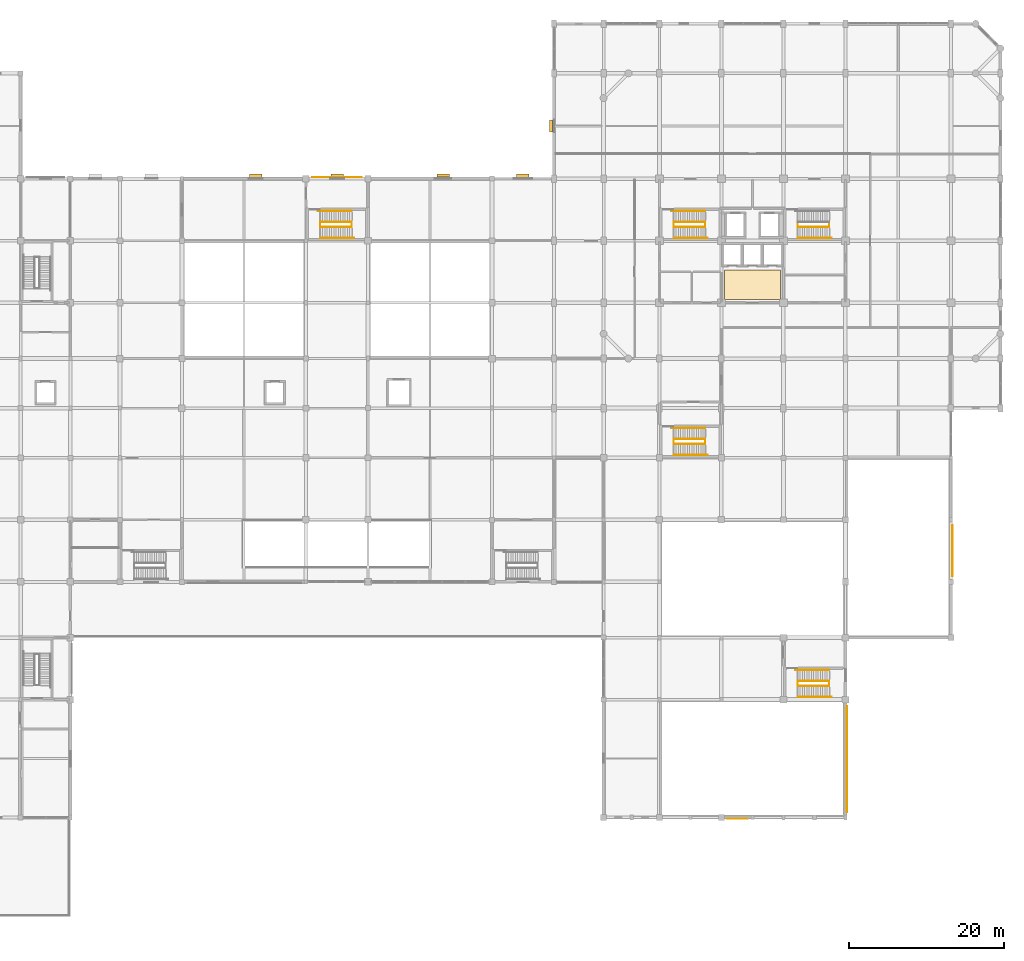
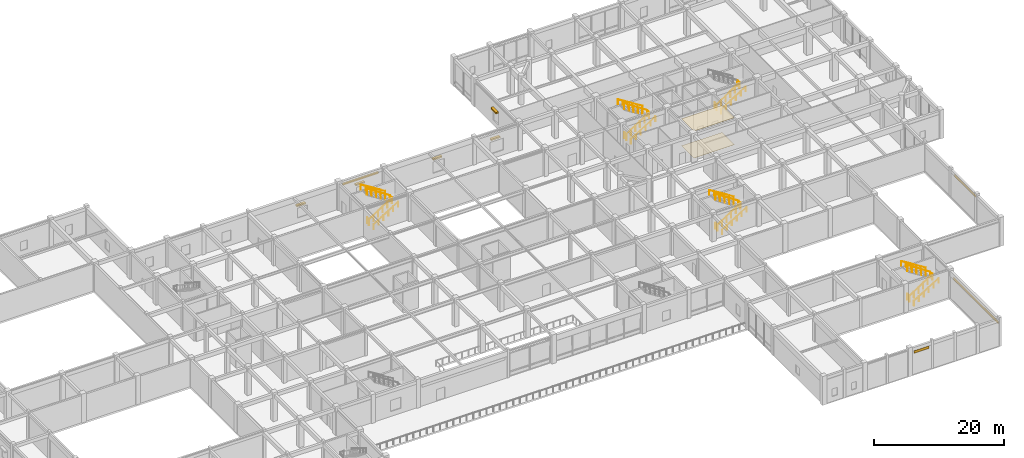
# One storey, part 35 of 36: 18 railings, 6 coverings, 5 shading devices.
"""IFC4 building model written with IfcOpenShell, lengths in metres."""

import ifcopenshell
import ifcopenshell.guid

model = None  # the IFC model being written
_history = None  # IfcOwnerHistory: only IFC2X3 demands one
_inside = {}  # id of a spatial element -> (the spatial element, [elements in it])
_under = {}  # id of a project, library or spatial element -> (it, [spatial elements below it])
_declared = {}  # id of a project -> (the project, [libraries it declares])
_typed = {}  # id of a type object -> (the type object, [elements of that type])
_made_of = {}  # id of a material, layer set ... -> (it, [elements and type objects made of it])


def new_model(schema):
    """Start an empty IFC model of exactly this schema.

    Asked for "IFC4X3", IfcOpenShell would pick the latest addendum, in which some entities
    have other attributes; the version numbers below select the first issue.
    IFC2X3 requires an IfcOwnerHistory on every rooted entity: one is made here for all.
    """
    global model, _history
    if schema == "IFC4X3":
        model = ifcopenshell.file(schema_version=(4, 3, 0, 0))
    else:
        model = ifcopenshell.file(schema=schema)
    _inside.clear()
    _under.clear()
    _declared.clear()
    _typed.clear()
    _made_of.clear()
    _history = None
    if model.schema == "IFC2X3":
        org = make("IfcOrganization", Name="unknown")
        user = make(
            "IfcPersonAndOrganization",
            ThePerson=make("IfcPerson", FamilyName="unknown"),
            TheOrganization=org,
        )
        app = make(
            "IfcApplication",
            ApplicationDeveloper=org,
            Version="unknown",
            ApplicationFullName="unknown",
            ApplicationIdentifier="unknown",
        )
        _history = make(
            "IfcOwnerHistory",
            OwningUser=user,
            OwningApplication=app,
            ChangeAction="ADDED",
            CreationDate=0,
        )
    return model


def make(cls, **values):
    """One entity of the class cls with the attributes given. An attribute that is None is left unset."""
    return model.create_entity(
        cls, **{name: value for name, value in values.items() if value is not None}
    )


def rooted(cls, **values):
    """An entity with a GlobalId (a new one), such as an element, a storey or a relation."""
    return make(cls, GlobalId=ifcopenshell.guid.new(), OwnerHistory=_history, **values)


def si_unit(unit_type, name, prefix=None):
    """IfcSIUnit, for example si_unit("LENGTHUNIT", "METRE", prefix="MILLI")."""
    return make("IfcSIUnit", UnitType=unit_type, Prefix=prefix, Name=name)


def assignment(units):
    """IfcUnitAssignment: the units of a project."""
    return None if units is None else make("IfcUnitAssignment", Units=units)


def point(xyz):
    """IfcCartesianPoint."""
    return None if xyz is None else make("IfcCartesianPoint", Coordinates=xyz)


def direction(xyz):
    """IfcDirection."""
    return None if xyz is None else make("IfcDirection", DirectionRatios=xyz)


def frame(location, z_axis=None, x_axis=None):
    """IfcAxis2Placement3D, a coordinate frame: its origin and axes. An axis left out is left unset."""
    return make(
        "IfcAxis2Placement3D",
        Location=point(location),
        Axis=direction(z_axis),
        RefDirection=direction(x_axis),
    )


def frame_2d(location, x_axis=None):
    """IfcAxis2Placement2D, a coordinate frame in the plane: its origin and x axis."""
    return make(
        "IfcAxis2Placement2D", Location=point(location), RefDirection=direction(x_axis)
    )


def origin():
    """The frame at (0, 0, 0) with its axes left unset."""
    return frame((0.0, 0.0, 0.0))


def origin_2d():
    """The frame at (0, 0) in the plane with its x axis left unset."""
    return frame_2d((0.0, 0.0))


def place(relative_to, where):
    """IfcLocalPlacement: puts the frame where relative to a parent placement (None: the world)."""
    return make(
        "IfcLocalPlacement", PlacementRelTo=relative_to, RelativePlacement=where
    )


def context(
    kind, dimensions, precision=None, world=None, true_north=None, identifier=None
):
    """IfcGeometricRepresentationContext, for example the 3D "Model" context."""
    return make(
        "IfcGeometricRepresentationContext",
        ContextIdentifier=identifier,
        ContextType=kind,
        CoordinateSpaceDimension=dimensions,
        Precision=precision,
        WorldCoordinateSystem=world,
        TrueNorth=true_north,
    )


def subcontext(parent, identifier, kind, view, scale=None):
    """IfcGeometricRepresentationSubContext, for example "Body" below "Model"."""
    return make(
        "IfcGeometricRepresentationSubContext",
        ContextIdentifier=identifier,
        ContextType=kind,
        ParentContext=parent,
        TargetScale=scale,
        TargetView=view,
    )


def project(units=None, contexts=None):
    """IfcProject with its units and contexts."""
    return rooted(
        "IfcProject",
        Name="project",
        RepresentationContexts=contexts,
        UnitsInContext=assignment(units),
    )


def spatial(cls, under=None, at=None, **own):
    """A site, building, storey or space (cls), placed at a placement, below another one or the project."""
    s = rooted(cls, ObjectPlacement=at, **own)
    if under is not None:
        _under.setdefault(under.id(), (under, []))[1].append(s)
    return s


def polyline(points):
    """IfcPolyline through the points."""
    return make("IfcPolyline", Points=[point(p) for p in points])


def profile(cls, at=None, kind="AREA", **sizes):
    """A parametric profile (cls). Its sizes go by their IFC names, for example OverallWidth=200.0."""
    return make(cls, ProfileType=kind, Position=at, **sizes)


def rectangle(**sizes):
    """IfcRectangleProfileDef."""
    return profile("IfcRectangleProfileDef", **sizes)


def circle(**sizes):
    """IfcCircleProfileDef."""
    return profile("IfcCircleProfileDef", **sizes)


def outline(outer, holes=None, kind="AREA"):
    """IfcArbitraryClosedProfileDef: a profile drawn as a closed curve; with holes, ...WithVoids."""
    if holes is None:
        return make("IfcArbitraryClosedProfileDef", ProfileType=kind, OuterCurve=outer)
    return make(
        "IfcArbitraryProfileDefWithVoids",
        ProfileType=kind,
        OuterCurve=outer,
        InnerCurves=holes,
    )


def extrude(swept, where, along, depth):
    """IfcExtrudedAreaSolid: the profile swept, set in the frame where, extruded along a direction by depth."""
    return make(
        "IfcExtrudedAreaSolid",
        SweptArea=swept,
        Position=where,
        ExtrudedDirection=direction(along),
        Depth=depth,
    )


def shape(context_of_items, identifier, shape_type, items):
    """IfcShapeRepresentation: the items that make up one representation, for example the "Body"."""
    return make(
        "IfcShapeRepresentation",
        ContextOfItems=context_of_items,
        RepresentationIdentifier=identifier,
        RepresentationType=shape_type,
        Items=items,
    )


def material(Name=None, Category=None):
    """IfcMaterial."""
    return make("IfcMaterial", Name=Name, Category=Category)


def layer(
    of_material, thickness, ventilated=None, Name=None, Category=None, Priority=None
):
    """IfcMaterialLayer: one layer of a wall or slab, of a material (None: an air gap)."""
    return make(
        "IfcMaterialLayer",
        Material=of_material,
        LayerThickness=thickness,
        IsVentilated=ventilated,
        Name=Name,
        Category=Category,
        Priority=Priority,
    )


def layer_set(layers, Name=None):
    """IfcMaterialLayerSet."""
    return make("IfcMaterialLayerSet", MaterialLayers=layers, LayerSetName=Name)


def made_of(thing, what):
    """Note that an element or type object is made of a material, layer set ...; save() writes the relation."""
    if what is not None:
        _made_of.setdefault(what.id(), (what, []))[1].append(thing)
    return thing


def type_object(cls, material=None, **own):
    """A type object (cls), such as IfcWallType, which elements share."""
    return made_of(rooted(cls, **own), material)


def element(
    cls,
    number,
    at=None,
    inside=None,
    cuts=None,
    type_object=None,
    material=None,
    context=None,
    identifier="Body",
    shape_type=None,
    held_by="IfcProductDefinitionShape",
    body=None,
    shapes=None,
    **own,
):
    """One element of the class cls, such as IfcWall. Its Tag is "e" and its number.

    at: its placement. inside: the storey or other place that contains it. cuts: it is an
    opening in that element (IfcRelVoidsElement). A single representation is given by context,
    identifier, shape_type and body (its items); several are given by shapes. held_by: the class
    of the entity that holds the representations. save() writes the other relations.
    """
    e = rooted(cls, Tag="e%d" % number, ObjectPlacement=at, **own)
    if body is not None:
        shapes = [shape(context, identifier, shape_type, body)]
    if shapes is not None:
        e.Representation = make(held_by, Representations=shapes)
    if inside is not None:
        _inside.setdefault(inside.id(), (inside, []))[1].append(e)
    if cuts is not None:
        rooted(
            "IfcRelVoidsElement", RelatingBuildingElement=cuts, RelatedOpeningElement=e
        )
    if type_object is not None:
        _typed.setdefault(type_object.id(), (type_object, []))[1].append(e)
    return made_of(e, material)


def aggregate(whole, parts):
    """IfcRelAggregates: a whole, such as a stair, and the parts it consists of."""
    return rooted("IfcRelAggregates", RelatingObject=whole, RelatedObjects=parts)


def save(model, path):
    """Write the relations noted so far, then the file.

    IfcRelAggregates (storeys below a building ...), IfcRelContainedInSpatialStructure (elements
    in a storey), IfcRelDefinesByType, IfcRelAssociatesMaterial and IfcRelDeclares: one each for
    every whole, place, type object, material and project.
    """
    for whole, parts in _under.values():
        aggregate(whole, parts)
    for where, things in _inside.values():
        rooted(
            "IfcRelContainedInSpatialStructure",
            RelatedElements=things,
            RelatingStructure=where,
        )
    for kind, things in _typed.values():
        rooted("IfcRelDefinesByType", RelatedObjects=things, RelatingType=kind)
    for what, things in _made_of.values():
        rooted("IfcRelAssociatesMaterial", RelatedObjects=things, RelatingMaterial=what)
    for by, libraries in _declared.values():
        rooted("IfcRelDeclares", RelatingContext=by, RelatedDefinitions=libraries)
    model.write(path)


model = new_model("IFC4")

# Units and contexts
model_context = context("Model", 3, precision=1e-05, world=origin(), true_north=direction((0.0, 1.0)))
body_context = subcontext(model_context, "Body", "Model", "MODEL_VIEW")
ifc_project = project(units=[si_unit("LENGTHUNIT", "METRE"), si_unit("AREAUNIT", "SQUARE_METRE"), si_unit("VOLUMEUNIT", "CUBIC_METRE"), si_unit("PLANEANGLEUNIT", "RADIAN"), si_unit("MASSUNIT", "GRAM", prefix="KILO")], contexts=[model_context])

# Site, building, storey
site_placement = place(None, origin())
site = spatial("IfcSite", under=ifc_project, at=site_placement, CompositionType="ELEMENT")
building_placement = place(site_placement, origin())
building = spatial("IfcBuilding", under=site, at=building_placement, Name="Vellmiral Cinema and Media Centre", CompositionType="ELEMENT")
storey_placement = place(building_placement, frame((0.0, 0.0, 5.39990234375)))
storey = spatial("IfcBuildingStorey", under=building, at=storey_placement, Name="L01", CompositionType="ELEMENT", Elevation=5.39990234375)

# Coverings
ifc_material_1 = material(Name="Micro-Perforated Acoustic Gypsum Ceiling")
ifc_layer_1 = layer(ifc_material_1, 0.0400390625, Name="Micro-Perforated Acoustic Gypsum Ceiling")
ifc_layer_set_1 = layer_set([ifc_layer_1], Name="Micro-Perforated Acoustic Gypsum Ceiling")
covering_type_1 = type_object("IfcCoveringType", Name="COV-AC-CEILING", PredefinedType="CEILING", material=ifc_layer_set_1)
covering_1_placement = place(storey_placement, frame((0.0, 0.0, 5.06005859375)))
element("IfcCovering", 1, at=covering_1_placement, inside=storey, type_object=covering_type_1, Name="Acoustic Lobby Ceiling L01", PredefinedType="CEILING", context=body_context, shape_type="SweptSolid", body=[
    extrude(outline(polyline([(132.39990234375, 79.60009765625), (139.60009765625, 79.60009765625), (139.60009765625, 83.39990234375), (132.39990234375, 83.39990234375), (132.39990234375, 79.60009765625)])), origin(), (0.0, 0.0, 1.0), 0.0400390625),
])
ifc_material_2 = material(Name="Honed Terrazzo Acoustic Floor Finish")
ifc_layer_2 = layer(ifc_material_2, 0.030029296875, Name="Honed Terrazzo Acoustic Floor Finish")
ifc_layer_set_2 = layer_set([ifc_layer_2], Name="Honed Terrazzo Acoustic Floor Finish")
covering_type_2 = type_object("IfcCoveringType", Name="COV-TERR-FLOORING", PredefinedType="FLOORING", material=ifc_layer_set_2)
covering_2_placement = place(storey_placement, origin())
element("IfcCovering", 2, at=covering_2_placement, inside=storey, type_object=covering_type_2, Name="Terrazzo Lobby Flooring L01", PredefinedType="FLOORING", context=body_context, shape_type="SweptSolid", body=[
    extrude(outline(polyline([(132.39990234375, 79.60009765625), (139.60009765625, 79.60009765625), (139.60009765625, 83.39990234375), (132.39990234375, 83.39990234375), (132.39990234375, 79.60009765625)])), origin(), (0.0, 0.0, 1.0), 0.030029296875),
])
ifc_material_3 = material(Name="Polychrome Trencadis Ceramic Mosaic")
ifc_layer_3 = layer(ifc_material_3, 0.034912109375, Name="Polychrome Trencadis Ceramic Mosaic")
ifc_layer_set_3 = layer_set([ifc_layer_3], Name="Polychrome Trencadis Ceramic Mosaic")
covering_type_3 = type_object("IfcCoveringType", Name="COV-TRENCADIS-CLAD", PredefinedType="CLADDING", material=ifc_layer_set_3)
covering_3_placement = place(storey_placement, frame((0.0, 0.0, 3.9150390625)))
element("IfcCovering", 3, at=covering_3_placement, inside=storey, type_object=covering_type_3, Name="Trencadis Spandrel Mosaic L01-024", PredefinedType="CLADDING", context=body_context, shape_type="SweptSolid", body=[
    extrude(outline(polyline([(132.77490234375, 12.6220703125), (135.425048828125, 12.6220703125), (135.425048828125, 12.656982421875), (132.77490234375, 12.656982421875), (132.77490234375, 12.6220703125)])), origin(), (0.0, 0.0, 1.0), 0.47998046875),
])
covering_4_placement = place(storey_placement, frame((0.0, 0.0, 3.51513671875)))
element("IfcCovering", 4, at=covering_4_placement, inside=storey, type_object=covering_type_3, Name="Trencadis Spandrel Mosaic L01-028", PredefinedType="CLADDING", context=body_context, shape_type="SweptSolid", body=[
    extrude(outline(polyline([(148.2080078125, 13.5), (148.2080078125, 27.175048828125), (148.173095703125, 27.175048828125), (148.173095703125, 13.5), (148.2080078125, 13.5)])), origin(), (0.0, 0.0, 1.0), 0.47998046875),
])
covering_5_placement = place(storey_placement, frame((0.0, 0.0, 3.955078125)))
element("IfcCovering", 5, at=covering_5_placement, inside=storey, type_object=covering_type_3, Name="Trencadis Spandrel Mosaic L01-032", PredefinedType="CLADDING", context=body_context, shape_type="SweptSolid", body=[
    extrude(outline(polyline([(161.80810546875, 43.925048828125), (161.80810546875, 50.5), (161.77294921875, 50.5), (161.77294921875, 43.925048828125), (161.80810546875, 43.925048828125)])), origin(), (0.0, 0.0, 1.0), 0.47998046875),
])
covering_6_placement = place(storey_placement, frame((0.0, 0.0, 3.93505859375)))
element("IfcCovering", 6, at=covering_6_placement, inside=storey, type_object=covering_type_3, Name="Trencadis Spandrel Mosaic L01-056", PredefinedType="CLADDING", context=body_context, shape_type="SweptSolid", body=[
    extrude(outline(polyline([(85.60009765625, 95.407958984375), (79.22509765625, 95.407958984375), (79.22509765625, 95.373046875), (85.60009765625, 95.373046875), (85.60009765625, 95.407958984375)])), origin(), (0.0, 0.0, 1.0), 0.47998046875),
])

# Railings
ifc_material_4 = material(Name="Brushed Stainless Steel Handrail", Category="steel")
railing_type_1 = type_object("IfcRailingType", Name="RL-HANDRAIL-900", PredefinedType="HANDRAIL", material=ifc_material_4)
railing_1_placement = place(storey_placement, frame((80.25, 87.56005859375, 0.18017578125)))
element("IfcRailing", 7, at=railing_1_placement, inside=storey, type_object=railing_type_1, Name="Stair Wall Handrail ST-P5 L01-1", PredefinedType="HANDRAIL", context=body_context, shape_type="SweptSolid", body=[
    extrude(circle(Radius=0.02392578125, at=origin_2d()), frame((0.0, 0.0, 0.8759765625), z_axis=(0.849649743971, 0.0, 0.527347430608), x_axis=(0.0, 1.0, 0.0)), (0.0, 0.0, 1.0), 5.119873046875),
    extrude(circle(Radius=0.02099609375, at=origin_2d()), origin(), (0.0, 0.0, 1.0), 0.851806640625),
    extrude(circle(Radius=0.02099609375, at=origin_2d()), frame((0.8701171875, 0.0, 0.5400390625)), (0.0, 0.0, 1.0), 0.851806640625),
    extrude(circle(Radius=0.02099609375, at=origin_2d()), frame((1.739990234375, 0.0, 1.080078125)), (0.0, 0.0, 1.0), 0.851806640625),
    extrude(circle(Radius=0.02099609375, at=origin_2d()), frame((2.610107421875, 0.0, 1.619873046875)), (0.0, 0.0, 1.0), 0.851806640625),
    extrude(circle(Radius=0.02099609375, at=origin_2d()), frame((3.47998046875, 0.0, 2.159912109375)), (0.0, 0.0, 1.0), 0.851806640625),
    extrude(circle(Radius=0.02099609375, at=origin_2d()), frame((4.35009765625, 0.0, 2.699951171875)), (0.0, 0.0, 1.0), 0.851806640625),
])
railing_2_placement = place(storey_placement, frame((84.31005859375, 91.0400390625, 2.880126953125)))
element("IfcRailing", 8, at=railing_2_placement, inside=storey, type_object=railing_type_1, Name="Stair Wall Handrail ST-P5 L01-2", PredefinedType="HANDRAIL", context=body_context, shape_type="SweptSolid", body=[
    extrude(circle(Radius=0.02392578125, at=origin_2d()), frame((0.0, 0.0, 0.8759765625), z_axis=(-0.849649743971, 0.0, 0.527347430608), x_axis=(0.0, -1.0, 0.0)), (0.0, 0.0, 1.0), 5.119873046875),
    extrude(circle(Radius=0.02099609375, at=origin_2d()), origin(), (0.0, 0.0, 1.0), 0.851806640625),
    extrude(circle(Radius=0.02099609375, at=origin_2d()), frame((-0.8701171875, 0.0, 0.5400390625)), (0.0, 0.0, 1.0), 0.851806640625),
    extrude(circle(Radius=0.02099609375, at=origin_2d()), frame((-1.739990234375, 0.0, 1.080078125)), (0.0, 0.0, 1.0), 0.851806640625),
    extrude(circle(Radius=0.02099609375, at=origin_2d()), frame((-2.610107421875, 0.0, 1.619873046875)), (0.0, 0.0, 1.0), 0.851806640625),
    extrude(circle(Radius=0.02099609375, at=origin_2d()), frame((-3.47998046875, 0.0, 2.159912109375)), (0.0, 0.0, 1.0), 0.851806640625),
    extrude(circle(Radius=0.02099609375, at=origin_2d()), frame((-4.35009765625, 0.0, 2.699951171875)), (0.0, 0.0, 1.0), 0.851806640625),
])
railing_3_placement = place(storey_placement, frame((125.85009765625, 59.56005859375, 0.18017578125)))
element("IfcRailing", 9, at=railing_3_placement, inside=storey, type_object=railing_type_1, Name="Stair Wall Handrail ST-P6 L01-1", PredefinedType="HANDRAIL", context=body_context, shape_type="SweptSolid", body=[
    extrude(circle(Radius=0.02392578125, at=origin_2d()), frame((0.0, 0.0, 0.8759765625), z_axis=(0.849636482215, 0.0, 0.527368797038), x_axis=(0.0, 1.0, 0.0)), (0.0, 0.0, 1.0), 5.11962890625),
    extrude(circle(Radius=0.02099609375, at=origin_2d()), origin(), (0.0, 0.0, 1.0), 0.851806640625),
    extrude(circle(Radius=0.02099609375, at=origin_2d()), frame((0.869873046875, 0.0, 0.5400390625)), (0.0, 0.0, 1.0), 0.851806640625),
    extrude(circle(Radius=0.02099609375, at=origin_2d()), frame((1.739990234375, 0.0, 1.080078125)), (0.0, 0.0, 1.0), 0.851806640625),
    extrude(circle(Radius=0.02099609375, at=origin_2d()), frame((2.60986328125, 0.0, 1.619873046875)), (0.0, 0.0, 1.0), 0.851806640625),
    extrude(circle(Radius=0.02099609375, at=origin_2d()), frame((3.47998046875, 0.0, 2.159912109375)), (0.0, 0.0, 1.0), 0.851806640625),
    extrude(circle(Radius=0.02099609375, at=origin_2d()), frame((4.349853515625, 0.0, 2.699951171875)), (0.0, 0.0, 1.0), 0.851806640625),
])
railing_4_placement = place(storey_placement, frame((129.909912109375, 63.0400390625, 2.880126953125)))
element("IfcRailing", 10, at=railing_4_placement, inside=storey, type_object=railing_type_1, Name="Stair Wall Handrail ST-P6 L01-2", PredefinedType="HANDRAIL", context=body_context, shape_type="SweptSolid", body=[
    extrude(circle(Radius=0.02392578125, at=origin_2d()), frame((0.0, 0.0, 0.8759765625), z_axis=(-0.849636482215, 0.0, 0.527368797038), x_axis=(0.0, -1.0, 0.0)), (0.0, 0.0, 1.0), 5.11962890625),
    extrude(circle(Radius=0.02099609375, at=origin_2d()), origin(), (0.0, 0.0, 1.0), 0.851806640625),
    extrude(circle(Radius=0.02099609375, at=origin_2d()), frame((-0.869873046875, 0.0, 0.5400390625)), (0.0, 0.0, 1.0), 0.851806640625),
    extrude(circle(Radius=0.02099609375, at=origin_2d()), frame((-1.739990234375, 0.0, 1.080078125)), (0.0, 0.0, 1.0), 0.851806640625),
    extrude(circle(Radius=0.02099609375, at=origin_2d()), frame((-2.60986328125, 0.0, 1.619873046875)), (0.0, 0.0, 1.0), 0.851806640625),
    extrude(circle(Radius=0.02099609375, at=origin_2d()), frame((-3.47998046875, 0.0, 2.159912109375)), (0.0, 0.0, 1.0), 0.851806640625),
    extrude(circle(Radius=0.02099609375, at=origin_2d()), frame((-4.349853515625, 0.0, 2.699951171875)), (0.0, 0.0, 1.0), 0.851806640625),
])
railing_5_placement = place(storey_placement, frame((141.85009765625, 28.360107421875, 0.18017578125)))
element("IfcRailing", 11, at=railing_5_placement, inside=storey, type_object=railing_type_1, Name="Stair Wall Handrail ST-P8 L01-1", PredefinedType="HANDRAIL", context=body_context, shape_type="SweptSolid", body=[
    extrude(circle(Radius=0.02392578125, at=origin_2d()), frame((0.0, 0.0, 0.8759765625), z_axis=(0.849636482215, 0.0, 0.527368797038), x_axis=(0.0, 1.0, 0.0)), (0.0, 0.0, 1.0), 5.11962890625),
    extrude(circle(Radius=0.02099609375, at=origin_2d()), origin(), (0.0, 0.0, 1.0), 0.851806640625),
    extrude(circle(Radius=0.02099609375, at=origin_2d()), frame((0.869873046875, 0.0, 0.5400390625)), (0.0, 0.0, 1.0), 0.851806640625),
    extrude(circle(Radius=0.02099609375, at=origin_2d()), frame((1.739990234375, 0.0, 1.080078125)), (0.0, 0.0, 1.0), 0.851806640625),
    extrude(circle(Radius=0.02099609375, at=origin_2d()), frame((2.60986328125, 0.0, 1.619873046875)), (0.0, 0.0, 1.0), 0.851806640625),
    extrude(circle(Radius=0.02099609375, at=origin_2d()), frame((3.47998046875, 0.0, 2.159912109375)), (0.0, 0.0, 1.0), 0.851806640625),
    extrude(circle(Radius=0.02099609375, at=origin_2d()), frame((4.349853515625, 0.0, 2.699951171875)), (0.0, 0.0, 1.0), 0.851806640625),
])
railing_6_placement = place(storey_placement, frame((145.909912109375, 31.840087890625, 2.880126953125)))
element("IfcRailing", 12, at=railing_6_placement, inside=storey, type_object=railing_type_1, Name="Stair Wall Handrail ST-P8 L01-2", PredefinedType="HANDRAIL", context=body_context, shape_type="SweptSolid", body=[
    extrude(circle(Radius=0.02392578125, at=origin_2d()), frame((0.0, 0.0, 0.8759765625), z_axis=(-0.849636482215, 0.0, 0.527368797038), x_axis=(0.0, -1.0, 0.0)), (0.0, 0.0, 1.0), 5.11962890625),
    extrude(circle(Radius=0.02099609375, at=origin_2d()), origin(), (0.0, 0.0, 1.0), 0.851806640625),
    extrude(circle(Radius=0.02099609375, at=origin_2d()), frame((-0.869873046875, 0.0, 0.5400390625)), (0.0, 0.0, 1.0), 0.851806640625),
    extrude(circle(Radius=0.02099609375, at=origin_2d()), frame((-1.739990234375, 0.0, 1.080078125)), (0.0, 0.0, 1.0), 0.851806640625),
    extrude(circle(Radius=0.02099609375, at=origin_2d()), frame((-2.60986328125, 0.0, 1.619873046875)), (0.0, 0.0, 1.0), 0.851806640625),
    extrude(circle(Radius=0.02099609375, at=origin_2d()), frame((-3.47998046875, 0.0, 2.159912109375)), (0.0, 0.0, 1.0), 0.851806640625),
    extrude(circle(Radius=0.02099609375, at=origin_2d()), frame((-4.349853515625, 0.0, 2.699951171875)), (0.0, 0.0, 1.0), 0.851806640625),
])
railing_7_placement = place(storey_placement, frame((125.85009765625, 87.56005859375, 0.18017578125)))
element("IfcRailing", 13, at=railing_7_placement, inside=storey, type_object=railing_type_1, Name="Stair Wall Handrail ST-T1 L01-1", PredefinedType="HANDRAIL", context=body_context, shape_type="SweptSolid", body=[
    extrude(circle(Radius=0.02392578125, at=origin_2d()), frame((0.0, 0.0, 0.8759765625), z_axis=(0.849636482215, 0.0, 0.527368797038), x_axis=(0.0, 1.0, 0.0)), (0.0, 0.0, 1.0), 5.11962890625),
    extrude(circle(Radius=0.02099609375, at=origin_2d()), origin(), (0.0, 0.0, 1.0), 0.851806640625),
    extrude(circle(Radius=0.02099609375, at=origin_2d()), frame((0.869873046875, 0.0, 0.5400390625)), (0.0, 0.0, 1.0), 0.851806640625),
    extrude(circle(Radius=0.02099609375, at=origin_2d()), frame((1.739990234375, 0.0, 1.080078125)), (0.0, 0.0, 1.0), 0.851806640625),
    extrude(circle(Radius=0.02099609375, at=origin_2d()), frame((2.60986328125, 0.0, 1.619873046875)), (0.0, 0.0, 1.0), 0.851806640625),
    extrude(circle(Radius=0.02099609375, at=origin_2d()), frame((3.47998046875, 0.0, 2.159912109375)), (0.0, 0.0, 1.0), 0.851806640625),
    extrude(circle(Radius=0.02099609375, at=origin_2d()), frame((4.349853515625, 0.0, 2.699951171875)), (0.0, 0.0, 1.0), 0.851806640625),
])
railing_8_placement = place(storey_placement, frame((129.909912109375, 91.0400390625, 2.880126953125)))
element("IfcRailing", 14, at=railing_8_placement, inside=storey, type_object=railing_type_1, Name="Stair Wall Handrail ST-T1 L01-2", PredefinedType="HANDRAIL", context=body_context, shape_type="SweptSolid", body=[
    extrude(circle(Radius=0.02392578125, at=origin_2d()), frame((0.0, 0.0, 0.8759765625), z_axis=(-0.849636482215, 0.0, 0.527368797038), x_axis=(0.0, -1.0, 0.0)), (0.0, 0.0, 1.0), 5.11962890625),
    extrude(circle(Radius=0.02099609375, at=origin_2d()), origin(), (0.0, 0.0, 1.0), 0.851806640625),
    extrude(circle(Radius=0.02099609375, at=origin_2d()), frame((-0.869873046875, 0.0, 0.5400390625)), (0.0, 0.0, 1.0), 0.851806640625),
    extrude(circle(Radius=0.02099609375, at=origin_2d()), frame((-1.739990234375, 0.0, 1.080078125)), (0.0, 0.0, 1.0), 0.851806640625),
    extrude(circle(Radius=0.02099609375, at=origin_2d()), frame((-2.60986328125, 0.0, 1.619873046875)), (0.0, 0.0, 1.0), 0.851806640625),
    extrude(circle(Radius=0.02099609375, at=origin_2d()), frame((-3.47998046875, 0.0, 2.159912109375)), (0.0, 0.0, 1.0), 0.851806640625),
    extrude(circle(Radius=0.02099609375, at=origin_2d()), frame((-4.349853515625, 0.0, 2.699951171875)), (0.0, 0.0, 1.0), 0.851806640625),
])
railing_9_placement = place(storey_placement, frame((141.85009765625, 87.56005859375, 0.18017578125)))
element("IfcRailing", 15, at=railing_9_placement, inside=storey, type_object=railing_type_1, Name="Stair Wall Handrail ST-T2 L01-1", PredefinedType="HANDRAIL", context=body_context, shape_type="SweptSolid", body=[
    extrude(circle(Radius=0.02392578125, at=origin_2d()), frame((0.0, 0.0, 0.8759765625), z_axis=(0.849636482215, 0.0, 0.527368797038), x_axis=(0.0, 1.0, 0.0)), (0.0, 0.0, 1.0), 5.11962890625),
    extrude(circle(Radius=0.02099609375, at=origin_2d()), origin(), (0.0, 0.0, 1.0), 0.851806640625),
    extrude(circle(Radius=0.02099609375, at=origin_2d()), frame((0.869873046875, 0.0, 0.5400390625)), (0.0, 0.0, 1.0), 0.851806640625),
    extrude(circle(Radius=0.02099609375, at=origin_2d()), frame((1.739990234375, 0.0, 1.080078125)), (0.0, 0.0, 1.0), 0.851806640625),
    extrude(circle(Radius=0.02099609375, at=origin_2d()), frame((2.60986328125, 0.0, 1.619873046875)), (0.0, 0.0, 1.0), 0.851806640625),
    extrude(circle(Radius=0.02099609375, at=origin_2d()), frame((3.47998046875, 0.0, 2.159912109375)), (0.0, 0.0, 1.0), 0.851806640625),
    extrude(circle(Radius=0.02099609375, at=origin_2d()), frame((4.349853515625, 0.0, 2.699951171875)), (0.0, 0.0, 1.0), 0.851806640625),
])
ifc_material_5 = material(Name="Painted Steel Stair Guardrail", Category="steel")
railing_type_2 = type_object("IfcRailingType", Name="RL-STAIR-GUARD-1120", PredefinedType="GUARDRAIL", material=ifc_material_5)
railing_10_placement = place(storey_placement, frame((80.25, 89.580078125, 0.0)))
element("IfcRailing", 16, at=railing_10_placement, inside=storey, type_object=railing_type_2, Name="Stair Well Guard ST-P5 L01-A", PredefinedType="GUARDRAIL", context=body_context, shape_type="SweptSolid", body=[
    extrude(circle(Radius=0.02392578125, at=origin_2d()), frame((0.0, 0.0, 1.09619140625), z_axis=(0.0, -1.0, 0.0), x_axis=(1.0, 0.0, 0.0)), (0.0, 0.0, 1.0), 0.60009765625),
    extrude(circle(Radius=0.02392578125, at=origin_2d()), frame((0.0, -0.60009765625, 1.09619140625), z_axis=(0.832666028451, 0.0, 0.553775482542), x_axis=(0.0, 1.0, 0.0)), (0.0, 0.0, 1.0), 4.8759765625),
    extrude(circle(Radius=0.02392578125, at=origin_2d()), frame((4.06005859375, -0.60009765625, 3.79638671875), z_axis=(0.0, 1.0, 0.0), x_axis=(-1.0, 0.0, 0.0)), (0.0, 0.0, 1.0), 0.64013671875),
    extrude(circle(Radius=0.02099609375, at=origin_2d()), origin(), (0.0, 0.0, 1.0), 1.072021484375),
    extrude(circle(Radius=0.02099609375, at=origin_2d()), frame((0.0, -0.60009765625, 0.0)), (0.0, 0.0, 1.0), 1.072021484375),
    extrude(circle(Radius=0.02099609375, at=origin_2d()), frame((0.81201171875, -0.60009765625, 0.5400390625)), (0.0, 0.0, 1.0), 1.072021484375),
    extrude(circle(Radius=0.02099609375, at=origin_2d()), frame((1.6240234375, -0.60009765625, 1.080078125)), (0.0, 0.0, 1.0), 1.072021484375),
    extrude(circle(Radius=0.02099609375, at=origin_2d()), frame((2.43603515625, -0.60009765625, 1.6201171875)), (0.0, 0.0, 1.0), 1.072021484375),
    extrude(circle(Radius=0.02099609375, at=origin_2d()), frame((3.248046875, -0.60009765625, 2.16015625)), (0.0, 0.0, 1.0), 1.072021484375),
    extrude(circle(Radius=0.02099609375, at=origin_2d()), frame((4.06005859375, -0.60009765625, 2.7001953125)), (0.0, 0.0, 1.0), 1.072021484375),
    extrude(circle(Radius=0.02099609375, at=origin_2d()), frame((4.06005859375, 0.0400390625, 2.7001953125)), (0.0, 0.0, 1.0), 1.072021484375),
])
railing_11_placement = place(storey_placement, frame((84.31005859375, 89.6201171875, 2.7001953125)))
element("IfcRailing", 17, at=railing_11_placement, inside=storey, type_object=railing_type_2, Name="Stair Well Guard ST-P5 L01-B", PredefinedType="GUARDRAIL", context=body_context, shape_type="SweptSolid", body=[
    extrude(circle(Radius=0.02392578125, at=origin_2d()), frame((0.0, 0.0, 1.09619140625), z_axis=(-0.8326891162, 0.0, 0.553740765848), x_axis=(0.0, -1.0, 0.0)), (0.0, 0.0, 1.0), 4.875732421875),
    extrude(circle(Radius=0.02099609375, at=origin_2d()), origin(), (0.0, 0.0, 1.0), 1.072021484375),
    extrude(circle(Radius=0.02099609375, at=origin_2d()), frame((-0.81201171875, 0.0, 0.5400390625)), (0.0, 0.0, 1.0), 1.072021484375),
    extrude(circle(Radius=0.02099609375, at=origin_2d()), frame((-1.6240234375, 0.0, 1.080078125)), (0.0, 0.0, 1.0), 1.072021484375),
    extrude(circle(Radius=0.02099609375, at=origin_2d()), frame((-2.43603515625, 0.0, 1.619873046875)), (0.0, 0.0, 1.0), 1.072021484375),
    extrude(circle(Radius=0.02099609375, at=origin_2d()), frame((-3.248046875, 0.0, 2.159912109375)), (0.0, 0.0, 1.0), 1.072021484375),
    extrude(circle(Radius=0.02099609375, at=origin_2d()), frame((-4.06005859375, 0.0, 2.699951171875)), (0.0, 0.0, 1.0), 1.072021484375),
])
railing_12_placement = place(storey_placement, frame((125.85009765625, 61.580078125, 0.0)))
element("IfcRailing", 18, at=railing_12_placement, inside=storey, type_object=railing_type_2, Name="Stair Well Guard ST-P6 L01-A", PredefinedType="GUARDRAIL", context=body_context, shape_type="SweptSolid", body=[
    extrude(circle(Radius=0.02392578125, at=origin_2d()), frame((0.0, 0.0, 1.09619140625), z_axis=(0.0, -1.0, 0.0), x_axis=(1.0, 0.0, 0.0)), (0.0, 0.0, 1.0), 0.60009765625),
    extrude(circle(Radius=0.02392578125, at=origin_2d()), frame((0.0, -0.60009765625, 1.09619140625), z_axis=(0.832650672624, 0.0, 0.553798571124), x_axis=(0.0, 1.0, 0.0)), (0.0, 0.0, 1.0), 4.875732421875),
    extrude(circle(Radius=0.02392578125, at=origin_2d()), frame((4.059814453125, -0.60009765625, 3.79638671875), z_axis=(0.0, 1.0, 0.0), x_axis=(-1.0, 0.0, 0.0)), (0.0, 0.0, 1.0), 0.64013671875),
    extrude(circle(Radius=0.02099609375, at=origin_2d()), origin(), (0.0, 0.0, 1.0), 1.072021484375),
    extrude(circle(Radius=0.02099609375, at=origin_2d()), frame((0.0, -0.60009765625, 0.0)), (0.0, 0.0, 1.0), 1.072021484375),
    extrude(circle(Radius=0.02099609375, at=origin_2d()), frame((0.81201171875, -0.60009765625, 0.5400390625)), (0.0, 0.0, 1.0), 1.072021484375),
    extrude(circle(Radius=0.02099609375, at=origin_2d()), frame((1.6240234375, -0.60009765625, 1.080078125)), (0.0, 0.0, 1.0), 1.072021484375),
    extrude(circle(Radius=0.02099609375, at=origin_2d()), frame((2.435791015625, -0.60009765625, 1.6201171875)), (0.0, 0.0, 1.0), 1.072021484375),
    extrude(circle(Radius=0.02099609375, at=origin_2d()), frame((3.247802734375, -0.60009765625, 2.16015625)), (0.0, 0.0, 1.0), 1.072021484375),
    extrude(circle(Radius=0.02099609375, at=origin_2d()), frame((4.059814453125, -0.60009765625, 2.7001953125)), (0.0, 0.0, 1.0), 1.072021484375),
    extrude(circle(Radius=0.02099609375, at=origin_2d()), frame((4.059814453125, 0.0400390625, 2.7001953125)), (0.0, 0.0, 1.0), 1.072021484375),
])
railing_13_placement = place(storey_placement, frame((129.909912109375, 61.6201171875, 2.7001953125)))
element("IfcRailing", 19, at=railing_13_placement, inside=storey, type_object=railing_type_2, Name="Stair Well Guard ST-P6 L01-B", PredefinedType="GUARDRAIL", context=body_context, shape_type="SweptSolid", body=[
    extrude(circle(Radius=0.02392578125, at=origin_2d()), frame((0.0, 0.0, 1.09619140625), z_axis=(-0.832673761873, 0.0, 0.553763854264), x_axis=(0.0, -1.0, 0.0)), (0.0, 0.0, 1.0), 4.875732421875),
    extrude(circle(Radius=0.02099609375, at=origin_2d()), origin(), (0.0, 0.0, 1.0), 1.072021484375),
    extrude(circle(Radius=0.02099609375, at=origin_2d()), frame((-0.81201171875, 0.0, 0.5400390625)), (0.0, 0.0, 1.0), 1.072021484375),
    extrude(circle(Radius=0.02099609375, at=origin_2d()), frame((-1.6240234375, 0.0, 1.080078125)), (0.0, 0.0, 1.0), 1.072021484375),
    extrude(circle(Radius=0.02099609375, at=origin_2d()), frame((-2.435791015625, 0.0, 1.619873046875)), (0.0, 0.0, 1.0), 1.072021484375),
    extrude(circle(Radius=0.02099609375, at=origin_2d()), frame((-3.247802734375, 0.0, 2.159912109375)), (0.0, 0.0, 1.0), 1.072021484375),
    extrude(circle(Radius=0.02099609375, at=origin_2d()), frame((-4.059814453125, 0.0, 2.699951171875)), (0.0, 0.0, 1.0), 1.072021484375),
])
railing_14_placement = place(storey_placement, frame((141.85009765625, 30.3798828125, 0.0)))
element("IfcRailing", 20, at=railing_14_placement, inside=storey, type_object=railing_type_2, Name="Stair Well Guard ST-P8 L01-A", PredefinedType="GUARDRAIL", context=body_context, shape_type="SweptSolid", body=[
    extrude(circle(Radius=0.02392578125, at=origin_2d()), frame((0.0, 0.0, 1.09619140625), z_axis=(0.0, -1.0, 0.0), x_axis=(1.0, 0.0, 0.0)), (0.0, 0.0, 1.0), 0.599853515625),
    extrude(circle(Radius=0.02392578125, at=origin_2d()), frame((0.0, -0.599853515625, 1.09619140625), z_axis=(0.832650672624, 0.0, 0.553798571124), x_axis=(0.0, 1.0, 0.0)), (0.0, 0.0, 1.0), 4.875732421875),
    extrude(circle(Radius=0.02392578125, at=origin_2d()), frame((4.059814453125, -0.599853515625, 3.79638671875), z_axis=(0.0, 1.0, 0.0), x_axis=(-1.0, 0.0, 0.0)), (0.0, 0.0, 1.0), 0.639892578125),
    extrude(circle(Radius=0.02099609375, at=origin_2d()), origin(), (0.0, 0.0, 1.0), 1.072021484375),
    extrude(circle(Radius=0.02099609375, at=origin_2d()), frame((0.0, -0.599853515625, 0.0)), (0.0, 0.0, 1.0), 1.072021484375),
    extrude(circle(Radius=0.02099609375, at=origin_2d()), frame((0.81201171875, -0.599853515625, 0.5400390625)), (0.0, 0.0, 1.0), 1.072021484375),
    extrude(circle(Radius=0.02099609375, at=origin_2d()), frame((1.6240234375, -0.599853515625, 1.080078125)), (0.0, 0.0, 1.0), 1.072021484375),
    extrude(circle(Radius=0.02099609375, at=origin_2d()), frame((2.435791015625, -0.599853515625, 1.6201171875)), (0.0, 0.0, 1.0), 1.072021484375),
    extrude(circle(Radius=0.02099609375, at=origin_2d()), frame((3.247802734375, -0.599853515625, 2.16015625)), (0.0, 0.0, 1.0), 1.072021484375),
    extrude(circle(Radius=0.02099609375, at=origin_2d()), frame((4.059814453125, -0.599853515625, 2.7001953125)), (0.0, 0.0, 1.0), 1.072021484375),
    extrude(circle(Radius=0.02099609375, at=origin_2d()), frame((4.059814453125, 0.0400390625, 2.7001953125)), (0.0, 0.0, 1.0), 1.072021484375),
])
railing_15_placement = place(storey_placement, frame((145.909912109375, 30.419921875, 2.7001953125)))
element("IfcRailing", 21, at=railing_15_placement, inside=storey, type_object=railing_type_2, Name="Stair Well Guard ST-P8 L01-B", PredefinedType="GUARDRAIL", context=body_context, shape_type="SweptSolid", body=[
    extrude(circle(Radius=0.02392578125, at=origin_2d()), frame((0.0, 0.0, 1.09619140625), z_axis=(-0.832673761873, 0.0, 0.553763854264), x_axis=(0.0, -1.0, 0.0)), (0.0, 0.0, 1.0), 4.875732421875),
    extrude(circle(Radius=0.02099609375, at=origin_2d()), origin(), (0.0, 0.0, 1.0), 1.072021484375),
    extrude(circle(Radius=0.02099609375, at=origin_2d()), frame((-0.81201171875, 0.0, 0.5400390625)), (0.0, 0.0, 1.0), 1.072021484375),
    extrude(circle(Radius=0.02099609375, at=origin_2d()), frame((-1.6240234375, 0.0, 1.080078125)), (0.0, 0.0, 1.0), 1.072021484375),
    extrude(circle(Radius=0.02099609375, at=origin_2d()), frame((-2.435791015625, 0.0, 1.619873046875)), (0.0, 0.0, 1.0), 1.072021484375),
    extrude(circle(Radius=0.02099609375, at=origin_2d()), frame((-3.247802734375, 0.0, 2.159912109375)), (0.0, 0.0, 1.0), 1.072021484375),
    extrude(circle(Radius=0.02099609375, at=origin_2d()), frame((-4.059814453125, 0.0, 2.699951171875)), (0.0, 0.0, 1.0), 1.072021484375),
])
railing_16_placement = place(storey_placement, frame((125.85009765625, 89.580078125, 0.0)))
element("IfcRailing", 22, at=railing_16_placement, inside=storey, type_object=railing_type_2, Name="Stair Well Guard ST-T1 L01-A", PredefinedType="GUARDRAIL", context=body_context, shape_type="SweptSolid", body=[
    extrude(circle(Radius=0.02392578125, at=origin_2d()), frame((0.0, 0.0, 1.09619140625), z_axis=(0.0, -1.0, 0.0), x_axis=(1.0, 0.0, 0.0)), (0.0, 0.0, 1.0), 0.60009765625),
    extrude(circle(Radius=0.02392578125, at=origin_2d()), frame((0.0, -0.60009765625, 1.09619140625), z_axis=(0.832650672624, 0.0, 0.553798571124), x_axis=(0.0, 1.0, 0.0)), (0.0, 0.0, 1.0), 4.875732421875),
    extrude(circle(Radius=0.02392578125, at=origin_2d()), frame((4.059814453125, -0.60009765625, 3.79638671875), z_axis=(0.0, 1.0, 0.0), x_axis=(-1.0, 0.0, 0.0)), (0.0, 0.0, 1.0), 0.64013671875),
    extrude(circle(Radius=0.02099609375, at=origin_2d()), origin(), (0.0, 0.0, 1.0), 1.072021484375),
    extrude(circle(Radius=0.02099609375, at=origin_2d()), frame((0.0, -0.60009765625, 0.0)), (0.0, 0.0, 1.0), 1.072021484375),
    extrude(circle(Radius=0.02099609375, at=origin_2d()), frame((0.81201171875, -0.60009765625, 0.5400390625)), (0.0, 0.0, 1.0), 1.072021484375),
    extrude(circle(Radius=0.02099609375, at=origin_2d()), frame((1.6240234375, -0.60009765625, 1.080078125)), (0.0, 0.0, 1.0), 1.072021484375),
    extrude(circle(Radius=0.02099609375, at=origin_2d()), frame((2.435791015625, -0.60009765625, 1.6201171875)), (0.0, 0.0, 1.0), 1.072021484375),
    extrude(circle(Radius=0.02099609375, at=origin_2d()), frame((3.247802734375, -0.60009765625, 2.16015625)), (0.0, 0.0, 1.0), 1.072021484375),
    extrude(circle(Radius=0.02099609375, at=origin_2d()), frame((4.059814453125, -0.60009765625, 2.7001953125)), (0.0, 0.0, 1.0), 1.072021484375),
    extrude(circle(Radius=0.02099609375, at=origin_2d()), frame((4.059814453125, 0.0400390625, 2.7001953125)), (0.0, 0.0, 1.0), 1.072021484375),
])
railing_17_placement = place(storey_placement, frame((129.909912109375, 89.6201171875, 2.7001953125)))
element("IfcRailing", 23, at=railing_17_placement, inside=storey, type_object=railing_type_2, Name="Stair Well Guard ST-T1 L01-B", PredefinedType="GUARDRAIL", context=body_context, shape_type="SweptSolid", body=[
    extrude(circle(Radius=0.02392578125, at=origin_2d()), frame((0.0, 0.0, 1.09619140625), z_axis=(-0.832673761873, 0.0, 0.553763854264), x_axis=(0.0, -1.0, 0.0)), (0.0, 0.0, 1.0), 4.875732421875),
    extrude(circle(Radius=0.02099609375, at=origin_2d()), origin(), (0.0, 0.0, 1.0), 1.072021484375),
    extrude(circle(Radius=0.02099609375, at=origin_2d()), frame((-0.81201171875, 0.0, 0.5400390625)), (0.0, 0.0, 1.0), 1.072021484375),
    extrude(circle(Radius=0.02099609375, at=origin_2d()), frame((-1.6240234375, 0.0, 1.080078125)), (0.0, 0.0, 1.0), 1.072021484375),
    extrude(circle(Radius=0.02099609375, at=origin_2d()), frame((-2.435791015625, 0.0, 1.619873046875)), (0.0, 0.0, 1.0), 1.072021484375),
    extrude(circle(Radius=0.02099609375, at=origin_2d()), frame((-3.247802734375, 0.0, 2.159912109375)), (0.0, 0.0, 1.0), 1.072021484375),
    extrude(circle(Radius=0.02099609375, at=origin_2d()), frame((-4.059814453125, 0.0, 2.699951171875)), (0.0, 0.0, 1.0), 1.072021484375),
])
railing_18_placement = place(storey_placement, frame((141.85009765625, 89.580078125, 0.0)))
element("IfcRailing", 24, at=railing_18_placement, inside=storey, type_object=railing_type_2, Name="Stair Well Guard ST-T2 L01-A", PredefinedType="GUARDRAIL", context=body_context, shape_type="SweptSolid", body=[
    extrude(circle(Radius=0.02392578125, at=origin_2d()), frame((0.0, 0.0, 1.09619140625), z_axis=(0.0, -1.0, 0.0), x_axis=(1.0, 0.0, 0.0)), (0.0, 0.0, 1.0), 0.60009765625),
    extrude(circle(Radius=0.02392578125, at=origin_2d()), frame((0.0, -0.60009765625, 1.09619140625), z_axis=(0.832650672624, 0.0, 0.553798571124), x_axis=(0.0, 1.0, 0.0)), (0.0, 0.0, 1.0), 4.875732421875),
    extrude(circle(Radius=0.02392578125, at=origin_2d()), frame((4.059814453125, -0.60009765625, 3.79638671875), z_axis=(0.0, 1.0, 0.0), x_axis=(-1.0, 0.0, 0.0)), (0.0, 0.0, 1.0), 0.64013671875),
    extrude(circle(Radius=0.02099609375, at=origin_2d()), origin(), (0.0, 0.0, 1.0), 1.072021484375),
    extrude(circle(Radius=0.02099609375, at=origin_2d()), frame((0.0, -0.60009765625, 0.0)), (0.0, 0.0, 1.0), 1.072021484375),
    extrude(circle(Radius=0.02099609375, at=origin_2d()), frame((0.81201171875, -0.60009765625, 0.5400390625)), (0.0, 0.0, 1.0), 1.072021484375),
    extrude(circle(Radius=0.02099609375, at=origin_2d()), frame((1.6240234375, -0.60009765625, 1.080078125)), (0.0, 0.0, 1.0), 1.072021484375),
    extrude(circle(Radius=0.02099609375, at=origin_2d()), frame((2.435791015625, -0.60009765625, 1.6201171875)), (0.0, 0.0, 1.0), 1.072021484375),
    extrude(circle(Radius=0.02099609375, at=origin_2d()), frame((3.247802734375, -0.60009765625, 2.16015625)), (0.0, 0.0, 1.0), 1.072021484375),
    extrude(circle(Radius=0.02099609375, at=origin_2d()), frame((4.059814453125, -0.60009765625, 2.7001953125)), (0.0, 0.0, 1.0), 1.072021484375),
    extrude(circle(Radius=0.02099609375, at=origin_2d()), frame((4.059814453125, 0.0400390625, 2.7001953125)), (0.0, 0.0, 1.0), 1.072021484375),
])

# Shading devices
ifc_material_6 = material(Name="Glazed Polychrome Ceramic Louvre Blade", Category="ceramic")
shading_device_type = type_object("IfcShadingDeviceType", Name="SHD-CERAMIC-JALOUSIE", PredefinedType="JALOUSIE", material=ifc_material_6)
for number, where, z_axis, x_axis, name in (
    (25, (110.0, 102.0, 3.10009765625), (0.0, 0.0, 1.0), (0.0, -1.0, 0.0), "Ceramic Sun-Shading Louvre L01-12"),
    (26, (106.387451171875, 95.570068359375, 3.10009765625), (0.0, 0.0, 1.0), (-1.0, 0.0, 0.0), "Ceramic Sun-Shading Louvre L01-13"),
    (27, (96.08740234375, 95.60009765625, 3.0), (0.0, 0.0, 1.0), (-1.0, 0.0, 0.0), "Ceramic Sun-Shading Louvre L01-14"),
    (28, (82.41259765625, 95.60009765625, 3.0), (0.0, 0.0, 1.0), (-1.0, 0.0, 0.0), "Ceramic Sun-Shading Louvre L01-15"),
    (29, (71.9375, 95.570068359375, 2.75), (0.0, 0.0, 1.0), (-1.0, 0.0, 0.0), "Ceramic Sun-Shading Louvre L01-16"),
):
    element("IfcShadingDevice", number, at=place(storey_placement, frame(where, z_axis=z_axis, x_axis=x_axis)), inside=storey, type_object=shading_device_type, Name=name, PredefinedType="JALOUSIE", context=body_context, shape_type="SweptSolid", body=[
        extrude(rectangle(XDim=1.60009765625, YDim=0.419921875, at=origin_2d()), origin(), (0.0, 0.0, 1.0), 0.280029296875),
    ])

save(model, "model.ifc")
